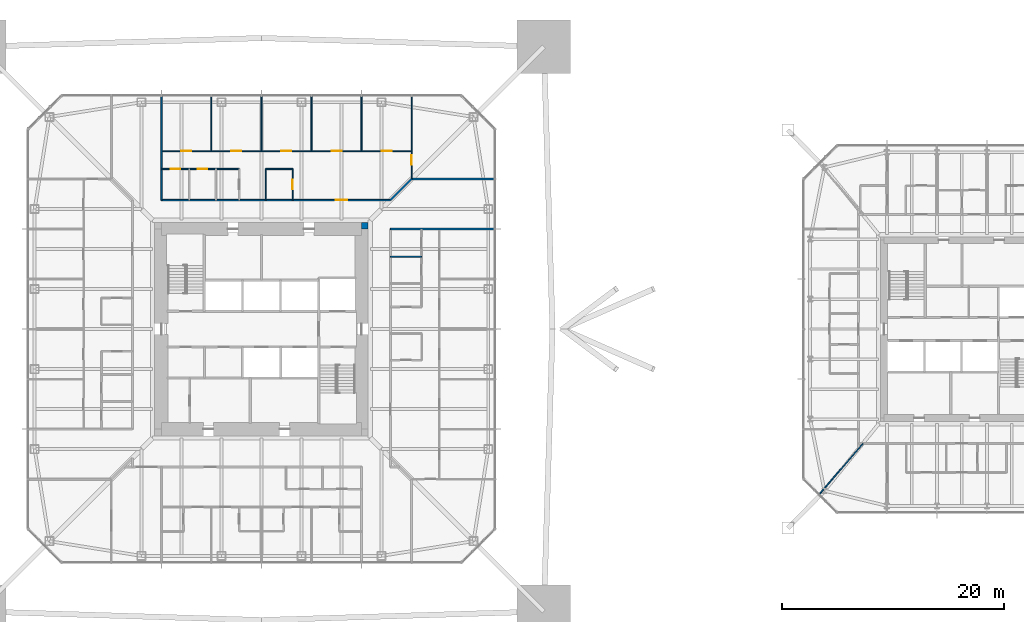
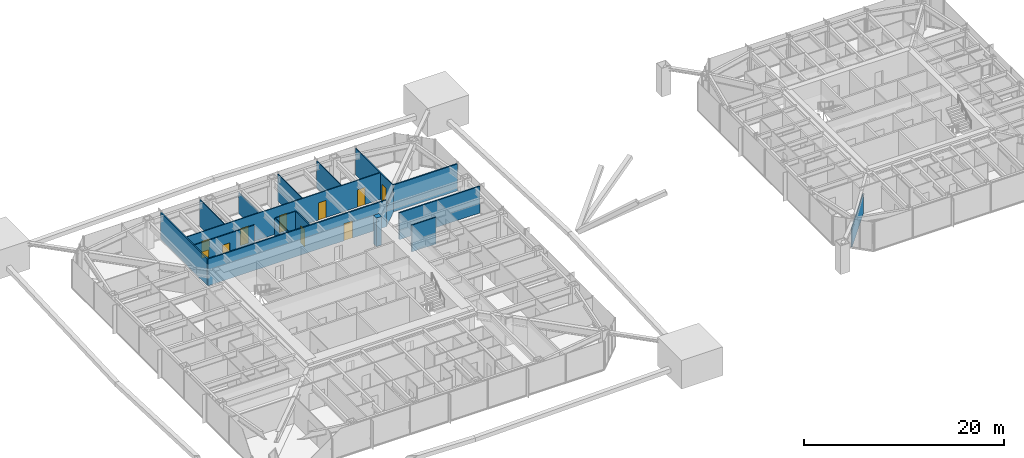
# One storey, part 18 of 27: 18 walls, 10 doors, 10 openings.
"""IFC4 building model written with IfcOpenShell, lengths in metres."""

from ifc_helpers import new_model, si_unit, direction, frame, frame_2d, origin, place, context, subcontext, project, spatial, rectangle, extrude, material, layer, layer_set, type_object, element, fill, save


model = new_model("IFC4")

# Units and contexts
model_context = context("Model", 3, precision=1e-05, world=origin(), true_north=direction((0.0, 1.0)))
body_context = subcontext(model_context, "Body", "Model", "MODEL_VIEW")
ifc_project = project(units=[si_unit("LENGTHUNIT", "METRE"), si_unit("AREAUNIT", "SQUARE_METRE"), si_unit("VOLUMEUNIT", "CUBIC_METRE"), si_unit("PLANEANGLEUNIT", "RADIAN"), si_unit("MASSUNIT", "GRAM", prefix="KILO")], contexts=[model_context])

# Site, building, storey
site_placement = place(None, origin())
site = spatial("IfcSite", under=ifc_project, at=site_placement, CompositionType="ELEMENT")
building_placement = place(site_placement, origin())
building = spatial("IfcBuilding", under=site, at=building_placement, Name="Iwan Alto Co-Living Towers", CompositionType="ELEMENT")
storey_placement = place(building_placement, frame((0.0, 0.0, 91.0)))
storey = spatial("IfcBuildingStorey", under=building, at=storey_placement, Name="L24", CompositionType="ELEMENT", Elevation=91.0)

# Wall
ifc_material_1 = material(Name="Gypsum board")
ifc_layer_1 = layer(ifc_material_1, 0.02490234375, Name="Board", Category="Finish")
ifc_material_2 = material(Name="Steel ASTM A1003 ST33H cold-formed studs", Category="steel")
ifc_layer_2 = layer(ifc_material_2, 0.10009765625, Name="Studs", Category="Framing")
ifc_layer_3 = layer(ifc_material_1, 0.02490234375, Name="Board", Category="Finish")
ifc_layer_set_1 = layer_set([ifc_layer_1, ifc_layer_2, ifc_layer_3], Name="CORRIDOR WALL 150")
wall_type_1 = type_object("IfcWallType", Name="CORRIDOR WALL 150", PredefinedType="PARTITIONING", material=ifc_layer_set_1)
wall_1_placement = place(storey_placement, frame((11.60009765625, 9.0, 0.0), z_axis=(0.0, 0.0, 1.0), x_axis=(1.0, 0.0, 0.0)))
element("IfcWall", 1, at=wall_1_placement, inside=storey, type_object=wall_type_1, Name="Partition L24", PredefinedType="PARTITIONING", context=body_context, shape_type="SweptSolid", body=[
    extrude(rectangle(XDim=9.33984375, YDim=0.14990234375, at=frame_2d((4.669921875, 0.0))), origin(), (0.0, 0.0, 1.0), 3.27001953125),
])

# Wall, opening, door
wall_2_placement = place(storey_placement, frame((-9.0, 11.60009765625, 0.0), z_axis=(0.0, 0.0, 1.0), x_axis=(1.0, 0.0, 0.0)))
wall_2 = element("IfcWall", 2, at=wall_2_placement, inside=storey, type_object=wall_type_1, Name="Partition L24", PredefinedType="PARTITIONING", context=body_context, shape_type="SweptSolid", body=[
    extrude(rectangle(XDim=20.60009765625, YDim=0.14990234375, at=frame_2d((10.300048828125, 0.0))), origin(), (0.0, 0.0, 1.0), 3.27001953125),
])
opening_1_placement = place(wall_2_placement, frame((15.699951171875, 0.0, 0.0)))
opening_1 = element("IfcOpeningElement", 3, at=opening_1_placement, cuts=wall_2, Name="Opening D3", PredefinedType="OPENING", context=body_context, shape_type="SweptSolid", body=[
    extrude(rectangle(XDim=1.0, YDim=2.10009765625, at=frame_2d((0.5, 1.050048828125))), frame((0.0, 0.0849609375, 0.0), z_axis=(0.0, -1.0, 0.0), x_axis=(1.0, 0.0, 0.0)), (0.0, 0.0, 1.0), 0.169921875),
])
ifc_material_3 = material(Name="Steel frame with timber leaf", Category="steel")
door_type_1 = type_object("IfcDoorType", Name="FLAT ENTRANCE DOOR FD30S 1000X2100", OperationType="SINGLE_SWING_LEFT", PredefinedType="DOOR", material=ifc_material_3)
door_1_placement = place(opening_1_placement, origin())
door_1 = element("IfcDoor", 4, at=door_1_placement, inside=storey, type_object=door_type_1, Name="Cluster lounge door L24", OperationType="SINGLE_SWING_LEFT", OverallHeight=2.10009765625, OverallWidth=1.0, PredefinedType="DOOR", context=body_context, shape_type="SweptSolid", body=[
    extrude(rectangle(XDim=1.0, YDim=2.10009765625, at=frame_2d((0.5, 1.050048828125))), frame((0.0, 0.02490234375, 0.0), z_axis=(0.0, -1.0, 0.0), x_axis=(1.0, 0.0, 0.0)), (0.0, 0.0, 1.0), 0.050048828125),
])
fill(opening_1, door_1)

# Walls
wall_3_placement = place(storey_placement, frame((13.5, 13.5, 0.0), z_axis=(0.0, 0.0, 1.0), x_axis=(1.0, 0.0, 0.0)))
element("IfcWall", 5, at=wall_3_placement, inside=storey, type_object=wall_type_1, Name="Partition L24", PredefinedType="PARTITIONING", context=body_context, shape_type="SweptSolid", body=[
    extrude(rectangle(XDim=7.43994140625, YDim=0.14990234375, at=frame_2d((3.719970703125, 0.0))), origin(), (0.0, 0.0, 1.0), 3.27001953125),
])
wall_4_placement = place(storey_placement, frame((11.60009765625, 11.60009765625, 0.0), z_axis=(0.0, 0.0, 1.0), x_axis=(0.707106781187, 0.707106781187, 0.0)))
element("IfcWall", 6, at=wall_4_placement, inside=storey, type_object=wall_type_1, Name="Partition L24", PredefinedType="PARTITIONING", context=body_context, shape_type="SweptSolid", body=[
    extrude(rectangle(XDim=2.686767578125, YDim=0.14990234375, at=frame_2d((1.34326171875, 0.0))), origin(), (0.0, 0.0, 1.0), 2.343017578125),
])
wall_5_placement = place(storey_placement, frame((-9.0, 11.60009765625, 0.0), z_axis=(0.0, 0.0, 1.0), x_axis=(0.0, 1.0, 0.0)))
element("IfcWall", 7, at=wall_5_placement, inside=storey, type_object=wall_type_1, Name="Partition L24", PredefinedType="PARTITIONING", context=body_context, shape_type="SweptSolid", body=[
    extrude(rectangle(XDim=9.33984375, YDim=0.14990234375, at=frame_2d((4.669921875, 0.0))), origin(), (0.0, 0.0, 1.0), 3.27001953125),
])
ifc_layer_4 = layer(ifc_material_1, 0.012451171875, Name="Board", Category="Finish")
ifc_layer_5 = layer(ifc_material_2, 0.074951171875, Name="Studs", Category="Framing")
ifc_layer_6 = layer(ifc_material_1, 0.012451171875, Name="Board", Category="Finish")
ifc_layer_set_2 = layer_set([ifc_layer_4, ifc_layer_5, ifc_layer_6], Name="PARTITION 100")
wall_type_2 = type_object("IfcWallType", Name="PARTITION 100", PredefinedType="PARTITIONING", material=ifc_layer_set_2)
wall_6_placement = place(storey_placement, frame((0.39990234375, 14.39990234375, 0.0), z_axis=(0.0, 0.0, 1.0), x_axis=(1.0, 0.0, 0.0)))
element("IfcWall", 8, at=wall_6_placement, inside=storey, type_object=wall_type_2, Name="Partition L24", PredefinedType="PARTITIONING", context=body_context, shape_type="SweptSolid", body=[
    extrude(rectangle(XDim=2.400146484375, YDim=0.10009765625, at=frame_2d((1.2001953125, 0.0))), origin(), (0.0, 0.0, 1.0), 3.27001953125),
])

# Wall, openings, doors
wall_7_placement = place(storey_placement, frame((-9.0, 16.0, 0.0), z_axis=(0.0, 0.0, 1.0), x_axis=(1.0, 0.0, 0.0)))
wall_7 = element("IfcWall", 9, at=wall_7_placement, inside=storey, type_object=wall_type_2, Name="Partition L24", PredefinedType="PARTITIONING", context=body_context, shape_type="SweptSolid", body=[
    extrude(rectangle(XDim=22.5, YDim=0.10009765625, at=frame_2d((11.25, 0.0))), origin(), (0.0, 0.0, 1.0), 3.27001953125),
])
opening_2_placement = place(wall_7_placement, frame((19.800048828125, 0.0, 0.0)))
opening_2 = element("IfcOpeningElement", 10, at=opening_2_placement, cuts=wall_7, Name="Opening D1", PredefinedType="OPENING", context=body_context, shape_type="SweptSolid", body=[
    extrude(rectangle(XDim=0.89990234375, YDim=2.10009765625, at=frame_2d((0.449951171875, 1.050048828125))), frame((0.0, 0.06005859375, 0.0), z_axis=(0.0, -1.0, 0.0), x_axis=(1.0, 0.0, 0.0)), (0.0, 0.0, 1.0), 0.1201171875),
])
opening_3_placement = place(wall_7_placement, frame((15.300048828125, 0.0, 0.0)))
opening_3 = element("IfcOpeningElement", 11, at=opening_3_placement, cuts=wall_7, Name="Opening D1", PredefinedType="OPENING", context=body_context, shape_type="SweptSolid", body=[
    extrude(rectangle(XDim=0.89990234375, YDim=2.10009765625, at=frame_2d((0.449951171875, 1.050048828125))), frame((0.0, 0.06005859375, 0.0), z_axis=(0.0, -1.0, 0.0), x_axis=(1.0, 0.0, 0.0)), (0.0, 0.0, 1.0), 0.1201171875),
])
opening_4_placement = place(wall_7_placement, frame((10.800048828125, 0.0, 0.0)))
opening_4 = element("IfcOpeningElement", 12, at=opening_4_placement, cuts=wall_7, Name="Opening D1", PredefinedType="OPENING", context=body_context, shape_type="SweptSolid", body=[
    extrude(rectangle(XDim=0.89990234375, YDim=2.10009765625, at=frame_2d((0.449951171875, 1.050048828125))), frame((0.0, 0.06005859375, 0.0), z_axis=(0.0, -1.0, 0.0), x_axis=(1.0, 0.0, 0.0)), (0.0, 0.0, 1.0), 0.1201171875),
])
opening_5_placement = place(wall_7_placement, frame((6.300048828125, 0.0, 0.0)))
opening_5 = element("IfcOpeningElement", 13, at=opening_5_placement, cuts=wall_7, Name="Opening D1", PredefinedType="OPENING", context=body_context, shape_type="SweptSolid", body=[
    extrude(rectangle(XDim=0.89990234375, YDim=2.10009765625, at=frame_2d((0.449951171875, 1.050048828125))), frame((0.0, 0.06005859375, 0.0), z_axis=(0.0, -1.0, 0.0), x_axis=(1.0, 0.0, 0.0)), (0.0, 0.0, 1.0), 0.1201171875),
])
opening_6_placement = place(wall_7_placement, frame((1.800048828125, 0.0, 0.0)))
opening_6 = element("IfcOpeningElement", 14, at=opening_6_placement, cuts=wall_7, Name="Opening D1", PredefinedType="OPENING", context=body_context, shape_type="SweptSolid", body=[
    extrude(rectangle(XDim=0.89990234375, YDim=2.10009765625, at=frame_2d((0.449951171875, 1.050048828125))), frame((0.0, 0.06005859375, 0.0), z_axis=(0.0, -1.0, 0.0), x_axis=(1.0, 0.0, 0.0)), (0.0, 0.0, 1.0), 0.1201171875),
])
ifc_material_4 = material(Name="Timber leaf in steel frame", Category="steel")
door_type_2 = type_object("IfcDoorType", Name="BEDROOM DOOR 900X2100", OperationType="SINGLE_SWING_LEFT", PredefinedType="DOOR", material=ifc_material_4)
door_2_placement = place(opening_2_placement, frame((0.89990234375, 0.0, 0.0), z_axis=(0.0, 0.0, 1.0), x_axis=(-1.0, 0.0, 0.0)))
door_2 = element("IfcDoor", 15, at=door_2_placement, inside=storey, type_object=door_type_2, Name="Study bedroom door L24", OperationType="SINGLE_SWING_LEFT", OverallHeight=2.10009765625, OverallWidth=0.89990234375, PredefinedType="DOOR", context=body_context, shape_type="SweptSolid", body=[
    extrude(rectangle(XDim=0.89990234375, YDim=2.10009765625, at=frame_2d((0.449951171875, 1.050048828125))), frame((0.0, 0.02490234375, 0.0), z_axis=(0.0, -1.0, 0.0), x_axis=(1.0, 0.0, 0.0)), (0.0, 0.0, 1.0), 0.050048828125),
])
fill(opening_2, door_2)
door_3_placement = place(opening_3_placement, frame((0.89990234375, 0.0, 0.0), z_axis=(0.0, 0.0, 1.0), x_axis=(-1.0, 0.0, 0.0)))
door_3 = element("IfcDoor", 16, at=door_3_placement, inside=storey, type_object=door_type_2, Name="Study bedroom door L24", OperationType="SINGLE_SWING_LEFT", OverallHeight=2.10009765625, OverallWidth=0.89990234375, PredefinedType="DOOR", context=body_context, shape_type="SweptSolid", body=[
    extrude(rectangle(XDim=0.89990234375, YDim=2.10009765625, at=frame_2d((0.449951171875, 1.050048828125))), frame((0.0, 0.02490234375, 0.0), z_axis=(0.0, -1.0, 0.0), x_axis=(1.0, 0.0, 0.0)), (0.0, 0.0, 1.0), 0.050048828125),
])
fill(opening_3, door_3)
door_4_placement = place(opening_4_placement, frame((0.89990234375, 0.0, 0.0), z_axis=(0.0, 0.0, 1.0), x_axis=(-1.0, 0.0, 0.0)))
door_4 = element("IfcDoor", 17, at=door_4_placement, inside=storey, type_object=door_type_2, Name="Study bedroom door L24", OperationType="SINGLE_SWING_RIGHT", OverallHeight=2.10009765625, OverallWidth=0.89990234375, PredefinedType="DOOR", context=body_context, shape_type="SweptSolid", body=[
    extrude(rectangle(XDim=0.89990234375, YDim=2.10009765625, at=frame_2d((0.449951171875, 1.050048828125))), frame((0.0, 0.02490234375, 0.0), z_axis=(0.0, -1.0, 0.0), x_axis=(1.0, 0.0, 0.0)), (0.0, 0.0, 1.0), 0.050048828125),
])
fill(opening_4, door_4)
door_5_placement = place(opening_5_placement, frame((0.89990234375, 0.0, 0.0), z_axis=(0.0, 0.0, 1.0), x_axis=(-1.0, 0.0, 0.0)))
door_5 = element("IfcDoor", 18, at=door_5_placement, inside=storey, type_object=door_type_2, Name="Study bedroom door L24", OperationType="SINGLE_SWING_RIGHT", OverallHeight=2.10009765625, OverallWidth=0.89990234375, PredefinedType="DOOR", context=body_context, shape_type="SweptSolid", body=[
    extrude(rectangle(XDim=0.89990234375, YDim=2.10009765625, at=frame_2d((0.449951171875, 1.050048828125))), frame((0.0, 0.02490234375, 0.0), z_axis=(0.0, -1.0, 0.0), x_axis=(1.0, 0.0, 0.0)), (0.0, 0.0, 1.0), 0.050048828125),
])
fill(opening_5, door_5)
door_6_placement = place(opening_6_placement, frame((0.89990234375, 0.0, 0.0), z_axis=(0.0, 0.0, 1.0), x_axis=(-1.0, 0.0, 0.0)))
door_6 = element("IfcDoor", 19, at=door_6_placement, inside=storey, type_object=door_type_2, Name="Study bedroom door L24", OperationType="SINGLE_SWING_RIGHT", OverallHeight=2.10009765625, OverallWidth=0.89990234375, PredefinedType="DOOR", context=body_context, shape_type="SweptSolid", body=[
    extrude(rectangle(XDim=0.89990234375, YDim=2.10009765625, at=frame_2d((0.449951171875, 1.050048828125))), frame((0.0, 0.02490234375, 0.0), z_axis=(0.0, -1.0, 0.0), x_axis=(1.0, 0.0, 0.0)), (0.0, 0.0, 1.0), 0.050048828125),
])
fill(opening_6, door_6)

# Wall
wall_8_placement = place(storey_placement, frame((50.179931640625, -14.844970703125, 0.0), z_axis=(0.0, 0.0, 1.0), x_axis=(0.653585997703, 0.756852260092, 0.0)))
element("IfcWall", 20, at=wall_8_placement, inside=storey, type_object=wall_type_2, Name="Partition L24", PredefinedType="PARTITIONING", context=body_context, shape_type="SweptSolid", body=[
    extrude(rectangle(XDim=6.005126953125, YDim=0.10009765625, at=frame_2d((3.00244140625, 0.0))), origin(), (0.0, 0.0, 1.0), 2.42919921875),
])

# Wall, opening, door
wall_9_placement = place(storey_placement, frame((13.5, 13.5, 0.0), z_axis=(0.0, 0.0, 1.0), x_axis=(0.0, 1.0, 0.0)))
wall_9 = element("IfcWall", 21, at=wall_9_placement, inside=storey, type_object=wall_type_2, Name="Partition L24", PredefinedType="PARTITIONING", context=body_context, shape_type="SweptSolid", body=[
    extrude(rectangle(XDim=7.43994140625, YDim=0.10009765625, at=frame_2d((3.719970703125, 0.0))), origin(), (0.0, 0.0, 1.0), 3.27001953125),
])
opening_7_placement = place(wall_9_placement, frame((1.27490234375, 0.0, 0.0)))
opening_7 = element("IfcOpeningElement", 22, at=opening_7_placement, cuts=wall_9, Name="Opening D2", PredefinedType="OPENING", context=body_context, shape_type="SweptSolid", body=[
    extrude(rectangle(XDim=0.85009765625, YDim=2.10009765625, at=frame_2d((0.425048828125, 1.050048828125))), frame((0.0, 0.06005859375, 0.0), z_axis=(0.0, -1.0, 0.0), x_axis=(1.0, 0.0, 0.0)), (0.0, 0.0, 1.0), 0.1201171875),
])
ifc_material_5 = material(Name="Timber leaf in steel frame", Category="steel")
door_type_3 = type_object("IfcDoorType", Name="ROOM DOOR 850X2100", OperationType="SINGLE_SWING_LEFT", PredefinedType="DOOR", material=ifc_material_5)
door_7_placement = place(opening_7_placement, origin())
door_7 = element("IfcDoor", 23, at=door_7_placement, inside=storey, type_object=door_type_3, Name="Shared kitchen and lounge door L24", OperationType="SINGLE_SWING_RIGHT", OverallHeight=2.10009765625, OverallWidth=0.85009765625, PredefinedType="DOOR", context=body_context, shape_type="SweptSolid", body=[
    extrude(rectangle(XDim=0.85009765625, YDim=2.10009765625, at=frame_2d((0.425048828125, 1.050048828125))), frame((0.0, 0.02490234375, 0.0), z_axis=(0.0, -1.0, 0.0), x_axis=(1.0, 0.0, 0.0)), (0.0, 0.0, 1.0), 0.050048828125),
])
fill(opening_7, door_7)

# Walls
for number, where, z_axis, x_axis, name in (
    (24, (9.0, 16.0, 0.0), (0.0, 0.0, 1.0), (0.0, 1.0, 0.0), "Partition L24"),
    (25, (4.5, 16.0, 0.0), (0.0, 0.0, 1.0), (0.0, 1.0, 0.0), "Partition L24"),
):
    element("IfcWall", number, at=place(storey_placement, frame(where, z_axis=z_axis, x_axis=x_axis)), inside=storey, type_object=wall_type_2, Name=name, PredefinedType="PARTITIONING", context=body_context, shape_type="SweptSolid", body=[
        extrude(rectangle(XDim=4.93994140625, YDim=0.10009765625, at=frame_2d((2.469970703125, 0.0))), origin(), (0.0, 0.0, 1.0), 3.27001953125),
    ])

# Wall, opening, door
wall_10_placement = place(storey_placement, frame((2.800048828125, 11.60009765625, 0.0), z_axis=(0.0, 0.0, 1.0), x_axis=(0.0, 1.0, 0.0)))
wall_10 = element("IfcWall", 26, at=wall_10_placement, inside=storey, type_object=wall_type_2, Name="Partition L24", PredefinedType="PARTITIONING", context=body_context, shape_type="SweptSolid", body=[
    extrude(rectangle(XDim=2.7998046875, YDim=0.10009765625, at=frame_2d((1.39990234375, 0.0))), origin(), (0.0, 0.0, 1.0), 3.27001953125),
])
opening_8_placement = place(wall_10_placement, frame((0.97509765625, 0.0, 0.0)))
opening_8 = element("IfcOpeningElement", 27, at=opening_8_placement, cuts=wall_10, Name="Opening D2", PredefinedType="OPENING", context=body_context, shape_type="SweptSolid", body=[
    extrude(rectangle(XDim=0.85009765625, YDim=2.10009765625, at=frame_2d((0.425048828125, 1.050048828125))), frame((0.0, 0.06005859375, 0.0), z_axis=(0.0, -1.0, 0.0), x_axis=(1.0, 0.0, 0.0)), (0.0, 0.0, 1.0), 0.1201171875),
])
door_8_placement = place(opening_8_placement, frame((0.85009765625, 0.0, 0.0), z_axis=(0.0, 0.0, 1.0), x_axis=(-1.0, 0.0, 0.0)))
door_8 = element("IfcDoor", 28, at=door_8_placement, inside=storey, type_object=door_type_3, Name="Store room door L24", OperationType="SINGLE_SWING_RIGHT", OverallHeight=2.10009765625, OverallWidth=0.85009765625, PredefinedType="DOOR", context=body_context, shape_type="SweptSolid", body=[
    extrude(rectangle(XDim=0.85009765625, YDim=2.10009765625, at=frame_2d((0.425048828125, 1.050048828125))), frame((0.0, 0.02490234375, 0.0), z_axis=(0.0, -1.0, 0.0), x_axis=(1.0, 0.0, 0.0)), (0.0, 0.0, 1.0), 0.050048828125),
])
fill(opening_8, door_8)

# Walls
wall_11_placement = place(storey_placement, frame((0.39990234375, 11.60009765625, 0.0), z_axis=(0.0, 0.0, 1.0), x_axis=(0.0, 1.0, 0.0)))
element("IfcWall", 29, at=wall_11_placement, inside=storey, type_object=wall_type_2, Name="Partition L24", PredefinedType="PARTITIONING", context=body_context, shape_type="SweptSolid", body=[
    extrude(rectangle(XDim=2.7998046875, YDim=0.10009765625, at=frame_2d((1.39990234375, 0.0))), origin(), (0.0, 0.0, 1.0), 3.27001953125),
])
wall_12_placement = place(storey_placement, frame((0.0, 16.0, 0.0), z_axis=(0.0, 0.0, 1.0), x_axis=(0.0, 1.0, 0.0)))
element("IfcWall", 30, at=wall_12_placement, inside=storey, type_object=wall_type_2, Name="Partition L24", PredefinedType="PARTITIONING", context=body_context, shape_type="SweptSolid", body=[
    extrude(rectangle(XDim=4.93994140625, YDim=0.10009765625, at=frame_2d((2.469970703125, 0.0))), origin(), (0.0, 0.0, 1.0), 2.586669921875),
])
wall_13_placement = place(storey_placement, frame((-4.5, 16.0, 0.0), z_axis=(0.0, 0.0, 1.0), x_axis=(0.0, 1.0, 0.0)))
element("IfcWall", 31, at=wall_13_placement, inside=storey, type_object=wall_type_2, Name="Partition L24", PredefinedType="PARTITIONING", context=body_context, shape_type="SweptSolid", body=[
    extrude(rectangle(XDim=4.93994140625, YDim=0.10009765625, at=frame_2d((2.469970703125, 0.0))), origin(), (0.0, 0.0, 1.0), 3.27001953125),
])
ifc_material_6 = material(Name="Concrete f'c 70 MPa", Category="concrete")
ifc_layer_7 = layer(ifc_material_6, 0.60009765625)
ifc_layer_set_3 = layer_set([ifc_layer_7], Name="T1 CORE CORNER FILL 600")
wall_type_3 = type_object("IfcWallType", Name="T1 CORE CORNER FILL 600", PredefinedType="SOLIDWALL", material=ifc_layer_set_3)
wall_14_placement = place(storey_placement, frame((9.0, 9.300048828125, 0.0), z_axis=(0.0, 0.0, 1.0), x_axis=(1.0, 0.0, 0.0)))
element("IfcWall", 32, at=wall_14_placement, inside=storey, type_object=wall_type_3, Name="T1 core corner NE L24", PredefinedType="SOLIDWALL", context=body_context, shape_type="SweptSolid", body=[
    extrude(rectangle(XDim=0.60009765625, YDim=0.60009765625, at=frame_2d((0.300048828125, 0.0))), origin(), (0.0, 0.0, 1.0), 3.5),
])
ifc_material_7 = material(Name="Cement board")
ifc_layer_8 = layer(ifc_material_7, 0.012451171875, Name="Board", Category="Finish")
ifc_layer_9 = layer(ifc_material_2, 0.094970703125, Name="Studs", Category="Framing")
ifc_layer_10 = layer(ifc_material_7, 0.012451171875, Name="Board", Category="Finish")
ifc_layer_set_4 = layer_set([ifc_layer_8, ifc_layer_9, ifc_layer_10], Name="WET AREA PARTITION 120")
wall_type_4 = type_object("IfcWallType", Name="WET AREA PARTITION 120", PredefinedType="PARTITIONING", material=ifc_layer_set_4)
wall_15_placement = place(storey_placement, frame((11.60009765625, 6.5, 0.0), z_axis=(0.0, 0.0, 1.0), x_axis=(1.0, 0.0, 0.0)))
element("IfcWall", 33, at=wall_15_placement, inside=storey, type_object=wall_type_4, Name="Partition L24", PredefinedType="PARTITIONING", context=body_context, shape_type="SweptSolid", body=[
    extrude(rectangle(XDim=2.7998046875, YDim=0.1201171875, at=frame_2d((1.39990234375, 0.0))), origin(), (0.0, 0.0, 1.0), 3.27001953125),
])

# Wall, openings, doors
wall_16_placement = place(storey_placement, frame((-9.0, 14.39990234375, 0.0), z_axis=(0.0, 0.0, 1.0), x_axis=(1.0, 0.0, 0.0)))
wall_16 = element("IfcWall", 34, at=wall_16_placement, inside=storey, type_object=wall_type_4, Name="Partition L24", PredefinedType="PARTITIONING", context=body_context, shape_type="SweptSolid", body=[
    extrude(rectangle(XDim=7.0, YDim=0.1201171875, at=frame_2d((3.5, 0.0))), origin(), (0.0, 0.0, 1.0), 3.27001953125),
])
opening_9_placement = place(wall_16_placement, frame((3.27490234375, 0.0, 0.0)))
opening_9 = element("IfcOpeningElement", 35, at=opening_9_placement, cuts=wall_16, Name="Opening D2", PredefinedType="OPENING", context=body_context, shape_type="SweptSolid", body=[
    extrude(rectangle(XDim=0.85009765625, YDim=2.10009765625, at=frame_2d((0.425048828125, 1.050048828125))), frame((0.0, 0.070068359375, 0.0), z_axis=(0.0, -1.0, 0.0), x_axis=(1.0, 0.0, 0.0)), (0.0, 0.0, 1.0), 0.14013671875),
])
opening_10_placement = place(wall_16_placement, frame((0.824951171875, 0.0, 0.0)))
opening_10 = element("IfcOpeningElement", 36, at=opening_10_placement, cuts=wall_16, Name="Opening D2", PredefinedType="OPENING", context=body_context, shape_type="SweptSolid", body=[
    extrude(rectangle(XDim=0.85009765625, YDim=2.10009765625, at=frame_2d((0.425048828125, 1.050048828125))), frame((0.0, 0.070068359375, 0.0), z_axis=(0.0, -1.0, 0.0), x_axis=(1.0, 0.0, 0.0)), (0.0, 0.0, 1.0), 0.14013671875),
])
door_9_placement = place(opening_9_placement, origin())
door_9 = element("IfcDoor", 37, at=door_9_placement, inside=storey, type_object=door_type_3, Name="Accessible bathroom door L24", OperationType="SINGLE_SWING_LEFT", OverallHeight=2.10009765625, OverallWidth=0.85009765625, PredefinedType="DOOR", context=body_context, shape_type="SweptSolid", body=[
    extrude(rectangle(XDim=0.85009765625, YDim=2.10009765625, at=frame_2d((0.425048828125, 1.050048828125))), frame((0.0, 0.02490234375, 0.0), z_axis=(0.0, -1.0, 0.0), x_axis=(1.0, 0.0, 0.0)), (0.0, 0.0, 1.0), 0.050048828125),
])
fill(opening_9, door_9)
door_10_placement = place(opening_10_placement, origin())
door_10 = element("IfcDoor", 38, at=door_10_placement, inside=storey, type_object=door_type_3, Name="Laundry door L24", OperationType="SINGLE_SWING_LEFT", OverallHeight=2.10009765625, OverallWidth=0.85009765625, PredefinedType="DOOR", context=body_context, shape_type="SweptSolid", body=[
    extrude(rectangle(XDim=0.85009765625, YDim=2.10009765625, at=frame_2d((0.425048828125, 1.050048828125))), frame((0.0, 0.02490234375, 0.0), z_axis=(0.0, -1.0, 0.0), x_axis=(1.0, 0.0, 0.0)), (0.0, 0.0, 1.0), 0.050048828125),
])
fill(opening_10, door_10)

save(model, "model.ifc")
